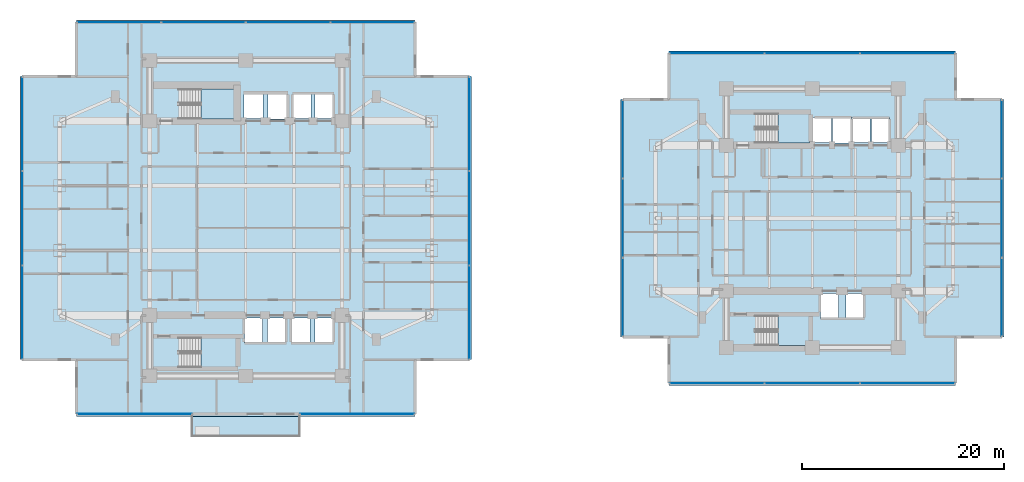
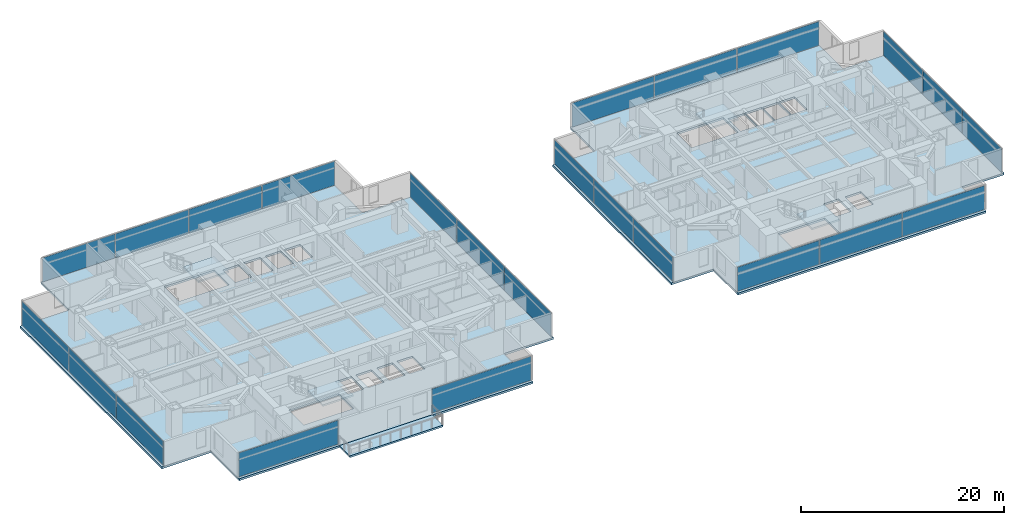
# One storey, part 12 of 25: 24 plates, 7 slabs, 13 elements without a shape of their own.
"""IFC4 building model written with IfcOpenShell, lengths in metres."""

from ifc_helpers import new_model, si_unit, direction, frame, origin, origin_2d, place, context, subcontext, project, spatial, polyline, rectangle, outline, extrude, material, layer, layer_set, type_object, element, aggregate, save


model = new_model("IFC4")

# Units and contexts
model_context = context("Model", 3, precision=1e-05, world=origin(), true_north=direction((0.0, 1.0)))
body_context = subcontext(model_context, "Body", "Model", "MODEL_VIEW")
ifc_project = project(units=[si_unit("LENGTHUNIT", "METRE"), si_unit("AREAUNIT", "SQUARE_METRE"), si_unit("VOLUMEUNIT", "CUBIC_METRE"), si_unit("PLANEANGLEUNIT", "RADIAN"), si_unit("MASSUNIT", "GRAM", prefix="KILO")], contexts=[model_context])

# Site, building, storey
site_placement = place(None, origin())
site = spatial("IfcSite", under=ifc_project, at=site_placement, CompositionType="ELEMENT")
building_placement = place(site_placement, origin())
building = spatial("IfcBuilding", under=site, at=building_placement, Name="Mirazonda Arch Towers", CompositionType="ELEMENT")
storey_placement = place(building_placement, frame((0.0, 0.0, 35.60009765625)))
storey = spatial("IfcBuildingStorey", under=building, at=storey_placement, Name="L09", CompositionType="ELEMENT", Elevation=35.60009765625)

# Curtain wall, plate
ifc_material_1 = material(Name="Anodised Aluminium and Low-E Glass", Category="aluminium")
curtain_wall_type = type_object("IfcCurtainWallType", Name="CW-HTL-UNIT", PredefinedType="NOTDEFINED", material=ifc_material_1)
curtain_wall_1_placement = place(storey_placement, origin())
curtain_wall_1 = element("IfcCurtainWall", 1, at=curtain_wall_1_placement, inside=storey, type_object=curtain_wall_type, Name="L09 Curtain Wall CW-L09-T1-SA", PredefinedType="NOTDEFINED")
ifc_material_2 = material(Name="Insulated Low-E Solar Glass", Category="glass")
ifc_layer_1 = layer(ifc_material_2, 0.035888671875, Name="PAN-CW-HTL-UNIT")
ifc_layer_set_1 = layer_set([ifc_layer_1], Name="Insulated Low-E Solar Glass")
plate_type = type_object("IfcPlateType", Name="PAN-CW-HTL-UNIT", PredefinedType="CURTAIN_PANEL", material=ifc_layer_set_1)
plate_1_placement = place(storey_placement, frame((31.5048828125, 8.6279296875, 0.0751953125), z_axis=(0.0, 0.0, 1.0), x_axis=(-1.0, 0.0, 0.0)))
plate_1 = element("IfcPlate", 2, at=plate_1_placement, type_object=plate_type, Name="CW-112 panel 1.1", PredefinedType="CURTAIN_PANEL", context=body_context, shape_type="SweptSolid", body=[
    extrude(rectangle(XDim=11.280029296875, YDim=0.035888671875, at=origin_2d()), origin(), (0.0, 0.0, 1.0), 2.889892578125),
])
aggregate(curtain_wall_1, [plate_1])

curtain_wall_2_placement = place(storey_placement, origin())
curtain_wall_2 = element("IfcCurtainWall", 3, at=curtain_wall_2_placement, inside=storey, type_object=curtain_wall_type, Name="L09 Curtain Wall CW-L09-T1-SB", PredefinedType="NOTDEFINED")
plate_2_placement = place(storey_placement, frame((9.4951171875, 8.6279296875, 0.0751953125), z_axis=(0.0, 0.0, 1.0), x_axis=(-1.0, 0.0, 0.0)))
plate_2 = element("IfcPlate", 4, at=plate_2_placement, type_object=plate_type, Name="CW-112 panel 1.1", PredefinedType="CURTAIN_PANEL", context=body_context, shape_type="SweptSolid", body=[
    extrude(rectangle(XDim=11.280029296875, YDim=0.035888671875, at=origin_2d()), origin(), (0.0, 0.0, 1.0), 2.889892578125),
])
aggregate(curtain_wall_2, [plate_2])

# Curtain wall, plates
curtain_wall_3_placement = place(storey_placement, origin())
curtain_wall_3 = element("IfcCurtainWall", 5, at=curtain_wall_3_placement, inside=storey, type_object=curtain_wall_type, Name="L09 T1 E Facade CW-L09-T1-E", PredefinedType="NOTDEFINED")
plate_3_placement = place(storey_placement, frame((42.60009765625, 18.690673828125, 0.0751953125), z_axis=(0.0, 0.0, 1.0), x_axis=(0.0, 1.0, 0.0)))
plate_3 = element("IfcPlate", 6, at=plate_3_placement, type_object=plate_type, Name="CW-112 panel 1.1", PredefinedType="CURTAIN_PANEL", context=body_context, shape_type="SweptSolid", body=[
    extrude(rectangle(XDim=9.215576171875, YDim=0.035888671875, at=origin_2d()), origin(), (0.0, 0.0, 1.0), 2.889892578125),
])
plate_4_placement = place(storey_placement, frame((42.60009765625, 28.0, 0.0751953125), z_axis=(0.0, 0.0, 1.0), x_axis=(0.0, 1.0, 0.0)))
plate_4 = element("IfcPlate", 7, at=plate_4_placement, type_object=plate_type, Name="CW-112 panel 2.1", PredefinedType="CURTAIN_PANEL", context=body_context, shape_type="SweptSolid", body=[
    extrude(rectangle(XDim=9.2529296875, YDim=0.035888671875, at=origin_2d()), origin(), (0.0, 0.0, 1.0), 2.889892578125),
])
plate_5_placement = place(storey_placement, frame((42.60009765625, 37.309326171875, 0.0751953125), z_axis=(0.0, 0.0, 1.0), x_axis=(0.0, 1.0, 0.0)))
plate_5 = element("IfcPlate", 8, at=plate_5_placement, type_object=plate_type, Name="CW-112 panel 3.1", PredefinedType="CURTAIN_PANEL", context=body_context, shape_type="SweptSolid", body=[
    extrude(rectangle(XDim=9.215576171875, YDim=0.035888671875, at=origin_2d()), origin(), (0.0, 0.0, 1.0), 2.889892578125),
])
aggregate(curtain_wall_3, [plate_3, plate_4, plate_5])

curtain_wall_4_placement = place(storey_placement, origin())
curtain_wall_4 = element("IfcCurtainWall", 9, at=curtain_wall_4_placement, inside=storey, type_object=curtain_wall_type, Name="L09 T1 N Facade CW-L09-T1-N", PredefinedType="NOTDEFINED")
plate_6_placement = place(storey_placement, frame((7.978759765625, 47.3720703125, 0.0751953125), z_axis=(0.0, 0.0, 1.0), x_axis=(1.0, 0.0, 0.0)))
plate_6 = element("IfcPlate", 10, at=plate_6_placement, type_object=plate_type, Name="CW-112 panel 1.1", PredefinedType="CURTAIN_PANEL", context=body_context, shape_type="SweptSolid", body=[
    extrude(rectangle(XDim=8.24755859375, YDim=0.035888671875, at=origin_2d()), origin(), (0.0, 0.0, 1.0), 2.889892578125),
])
plate_7_placement = place(storey_placement, frame((16.320068359375, 47.3720703125, 0.0751953125), z_axis=(0.0, 0.0, 1.0), x_axis=(1.0, 0.0, 0.0)))
plate_7 = element("IfcPlate", 11, at=plate_7_placement, type_object=plate_type, Name="CW-112 panel 2.1", PredefinedType="CURTAIN_PANEL", context=body_context, shape_type="SweptSolid", body=[
    extrude(rectangle(XDim=8.284912109375, YDim=0.035888671875, at=origin_2d()), origin(), (0.0, 0.0, 1.0), 2.889892578125),
])
plate_8_placement = place(storey_placement, frame((24.679931640625, 47.3720703125, 0.0751953125), z_axis=(0.0, 0.0, 1.0), x_axis=(1.0, 0.0, 0.0)))
plate_8 = element("IfcPlate", 12, at=plate_8_placement, type_object=plate_type, Name="CW-112 panel 3.1", PredefinedType="CURTAIN_PANEL", context=body_context, shape_type="SweptSolid", body=[
    extrude(rectangle(XDim=8.284912109375, YDim=0.035888671875, at=origin_2d()), origin(), (0.0, 0.0, 1.0), 2.889892578125),
])
plate_9_placement = place(storey_placement, frame((33.021240234375, 47.3720703125, 0.0751953125), z_axis=(0.0, 0.0, 1.0), x_axis=(1.0, 0.0, 0.0)))
plate_9 = element("IfcPlate", 13, at=plate_9_placement, type_object=plate_type, Name="CW-112 panel 4.1", PredefinedType="CURTAIN_PANEL", context=body_context, shape_type="SweptSolid", body=[
    extrude(rectangle(XDim=8.24755859375, YDim=0.035888671875, at=origin_2d()), origin(), (0.0, 0.0, 1.0), 2.889892578125),
])
aggregate(curtain_wall_4, [plate_6, plate_7, plate_8, plate_9])

curtain_wall_5_placement = place(storey_placement, origin())
curtain_wall_5 = element("IfcCurtainWall", 14, at=curtain_wall_5_placement, inside=storey, type_object=curtain_wall_type, Name="L09 T1 W Facade CW-L09-T1-W", PredefinedType="NOTDEFINED")
plate_10_placement = place(storey_placement, frame((-1.60009765625, 37.309326171875, 0.0751953125), z_axis=(0.0, 0.0, 1.0), x_axis=(0.0, -1.0, 0.0)))
plate_10 = element("IfcPlate", 15, at=plate_10_placement, type_object=plate_type, Name="CW-112 panel 1.1", PredefinedType="CURTAIN_PANEL", context=body_context, shape_type="SweptSolid", body=[
    extrude(rectangle(XDim=9.215576171875, YDim=0.035888671875, at=origin_2d()), origin(), (0.0, 0.0, 1.0), 2.889892578125),
])
plate_11_placement = place(storey_placement, frame((-1.60009765625, 28.0, 0.0751953125), z_axis=(0.0, 0.0, 1.0), x_axis=(0.0, -1.0, 0.0)))
plate_11 = element("IfcPlate", 16, at=plate_11_placement, type_object=plate_type, Name="CW-112 panel 2.1", PredefinedType="CURTAIN_PANEL", context=body_context, shape_type="SweptSolid", body=[
    extrude(rectangle(XDim=9.2529296875, YDim=0.035888671875, at=origin_2d()), origin(), (0.0, 0.0, 1.0), 2.889892578125),
])
plate_12_placement = place(storey_placement, frame((-1.60009765625, 18.690673828125, 0.0751953125), z_axis=(0.0, 0.0, 1.0), x_axis=(0.0, -1.0, 0.0)))
plate_12 = element("IfcPlate", 17, at=plate_12_placement, type_object=plate_type, Name="CW-112 panel 3.1", PredefinedType="CURTAIN_PANEL", context=body_context, shape_type="SweptSolid", body=[
    extrude(rectangle(XDim=9.215576171875, YDim=0.035888671875, at=origin_2d()), origin(), (0.0, 0.0, 1.0), 2.889892578125),
])
aggregate(curtain_wall_5, [plate_10, plate_11, plate_12])

curtain_wall_6_placement = place(storey_placement, origin())
curtain_wall_6 = element("IfcCurtainWall", 18, at=curtain_wall_6_placement, inside=storey, type_object=curtain_wall_type, Name="L09 T2 S Facade CW-L09-T2-S", PredefinedType="NOTDEFINED")
plate_13_placement = place(storey_placement, frame((85.916015625, 11.686767578125, 0.0751953125), z_axis=(0.0, 0.0, 1.0), x_axis=(-1.0, 0.0, 0.0)))
plate_13 = element("IfcPlate", 19, at=plate_13_placement, type_object=plate_type, Name="CW-112 panel 1.1", PredefinedType="CURTAIN_PANEL", context=body_context, shape_type="SweptSolid", body=[
    extrude(rectangle(XDim=9.322265625, YDim=0.035888671875, at=origin_2d()), origin(), (0.0, 0.0, 1.0), 2.889892578125),
])
plate_14_placement = place(storey_placement, frame((76.5, 11.686767578125, 0.0751953125), z_axis=(0.0, 0.0, 1.0), x_axis=(-1.0, 0.0, 0.0)))
plate_14 = element("IfcPlate", 20, at=plate_14_placement, type_object=plate_type, Name="CW-112 panel 2.1", PredefinedType="CURTAIN_PANEL", context=body_context, shape_type="SweptSolid", body=[
    extrude(rectangle(XDim=9.359619140625, YDim=0.035888671875, at=origin_2d()), origin(), (0.0, 0.0, 1.0), 2.889892578125),
])
plate_15_placement = place(storey_placement, frame((67.083984375, 11.686767578125, 0.0751953125), z_axis=(0.0, 0.0, 1.0), x_axis=(-1.0, 0.0, 0.0)))
plate_15 = element("IfcPlate", 21, at=plate_15_placement, type_object=plate_type, Name="CW-112 panel 3.1", PredefinedType="CURTAIN_PANEL", context=body_context, shape_type="SweptSolid", body=[
    extrude(rectangle(XDim=9.322265625, YDim=0.035888671875, at=origin_2d()), origin(), (0.0, 0.0, 1.0), 2.889892578125),
])
aggregate(curtain_wall_6, [plate_13, plate_14, plate_15])

curtain_wall_7_placement = place(storey_placement, origin())
curtain_wall_7 = element("IfcCurtainWall", 22, at=curtain_wall_7_placement, inside=storey, type_object=curtain_wall_type, Name="L09 T2 E Facade CW-L09-T2-E", PredefinedType="NOTDEFINED")
plate_16_placement = place(storey_placement, frame((95.23193359375, 20.196533203125, 0.0751953125), z_axis=(0.0, 0.0, 1.0), x_axis=(0.0, 1.0, 0.0)))
plate_16 = element("IfcPlate", 23, at=plate_16_placement, type_object=plate_type, Name="CW-112 panel 1.1", PredefinedType="CURTAIN_PANEL", context=body_context, shape_type="SweptSolid", body=[
    extrude(rectangle(XDim=7.709716796875, YDim=0.035888671875, at=origin_2d()), origin(), (0.0, 0.0, 1.0), 2.889892578125),
])
plate_17_placement = place(storey_placement, frame((95.23193359375, 28.0, 0.0751953125), z_axis=(0.0, 0.0, 1.0), x_axis=(0.0, 1.0, 0.0)))
plate_17 = element("IfcPlate", 24, at=plate_17_placement, type_object=plate_type, Name="CW-112 panel 2.1", PredefinedType="CURTAIN_PANEL", context=body_context, shape_type="SweptSolid", body=[
    extrude(rectangle(XDim=7.7470703125, YDim=0.035888671875, at=origin_2d()), origin(), (0.0, 0.0, 1.0), 2.889892578125),
])
plate_18_placement = place(storey_placement, frame((95.23193359375, 35.803466796875, 0.0751953125), z_axis=(0.0, 0.0, 1.0), x_axis=(0.0, 1.0, 0.0)))
plate_18 = element("IfcPlate", 25, at=plate_18_placement, type_object=plate_type, Name="CW-112 panel 3.1", PredefinedType="CURTAIN_PANEL", context=body_context, shape_type="SweptSolid", body=[
    extrude(rectangle(XDim=7.709716796875, YDim=0.035888671875, at=origin_2d()), origin(), (0.0, 0.0, 1.0), 2.889892578125),
])
aggregate(curtain_wall_7, [plate_16, plate_17, plate_18])

curtain_wall_8_placement = place(storey_placement, origin())
curtain_wall_8 = element("IfcCurtainWall", 26, at=curtain_wall_8_placement, inside=storey, type_object=curtain_wall_type, Name="L09 T2 N Facade CW-L09-T2-N", PredefinedType="NOTDEFINED")
plate_19_placement = place(storey_placement, frame((67.083984375, 44.313232421875, 0.0751953125), z_axis=(0.0, 0.0, 1.0), x_axis=(1.0, 0.0, 0.0)))
plate_19 = element("IfcPlate", 27, at=plate_19_placement, type_object=plate_type, Name="CW-112 panel 1.1", PredefinedType="CURTAIN_PANEL", context=body_context, shape_type="SweptSolid", body=[
    extrude(rectangle(XDim=9.322265625, YDim=0.035888671875, at=origin_2d()), origin(), (0.0, 0.0, 1.0), 2.889892578125),
])
plate_20_placement = place(storey_placement, frame((76.5, 44.313232421875, 0.0751953125), z_axis=(0.0, 0.0, 1.0), x_axis=(1.0, 0.0, 0.0)))
plate_20 = element("IfcPlate", 28, at=plate_20_placement, type_object=plate_type, Name="CW-112 panel 2.1", PredefinedType="CURTAIN_PANEL", context=body_context, shape_type="SweptSolid", body=[
    extrude(rectangle(XDim=9.359619140625, YDim=0.035888671875, at=origin_2d()), origin(), (0.0, 0.0, 1.0), 2.889892578125),
])
plate_21_placement = place(storey_placement, frame((85.916015625, 44.313232421875, 0.0751953125), z_axis=(0.0, 0.0, 1.0), x_axis=(1.0, 0.0, 0.0)))
plate_21 = element("IfcPlate", 29, at=plate_21_placement, type_object=plate_type, Name="CW-112 panel 3.1", PredefinedType="CURTAIN_PANEL", context=body_context, shape_type="SweptSolid", body=[
    extrude(rectangle(XDim=9.322265625, YDim=0.035888671875, at=origin_2d()), origin(), (0.0, 0.0, 1.0), 2.889892578125),
])
aggregate(curtain_wall_8, [plate_19, plate_20, plate_21])

curtain_wall_9_placement = place(storey_placement, origin())
curtain_wall_9 = element("IfcCurtainWall", 30, at=curtain_wall_9_placement, inside=storey, type_object=curtain_wall_type, Name="L09 T2 W Facade CW-L09-T2-W", PredefinedType="NOTDEFINED")
plate_22_placement = place(storey_placement, frame((57.76806640625, 35.803466796875, 0.0751953125), z_axis=(0.0, 0.0, 1.0), x_axis=(0.0, -1.0, 0.0)))
plate_22 = element("IfcPlate", 31, at=plate_22_placement, type_object=plate_type, Name="CW-112 panel 1.1", PredefinedType="CURTAIN_PANEL", context=body_context, shape_type="SweptSolid", body=[
    extrude(rectangle(XDim=7.709716796875, YDim=0.035888671875, at=origin_2d()), origin(), (0.0, 0.0, 1.0), 2.889892578125),
])
plate_23_placement = place(storey_placement, frame((57.76806640625, 28.0, 0.0751953125), z_axis=(0.0, 0.0, 1.0), x_axis=(0.0, -1.0, 0.0)))
plate_23 = element("IfcPlate", 32, at=plate_23_placement, type_object=plate_type, Name="CW-112 panel 2.1", PredefinedType="CURTAIN_PANEL", context=body_context, shape_type="SweptSolid", body=[
    extrude(rectangle(XDim=7.7470703125, YDim=0.035888671875, at=origin_2d()), origin(), (0.0, 0.0, 1.0), 2.889892578125),
])
plate_24_placement = place(storey_placement, frame((57.76806640625, 20.196533203125, 0.0751953125), z_axis=(0.0, 0.0, 1.0), x_axis=(0.0, -1.0, 0.0)))
plate_24 = element("IfcPlate", 33, at=plate_24_placement, type_object=plate_type, Name="CW-112 panel 3.1", PredefinedType="CURTAIN_PANEL", context=body_context, shape_type="SweptSolid", body=[
    extrude(rectangle(XDim=7.709716796875, YDim=0.035888671875, at=origin_2d()), origin(), (0.0, 0.0, 1.0), 2.889892578125),
])
aggregate(curtain_wall_9, [plate_22, plate_23, plate_24])

# Stair, slab
ifc_material_3 = material(Name="Concrete C40/50", Category="concrete")
stair_type = type_object("IfcStairType", Name="STAIR-CORE-1400", PredefinedType="HALF_TURN_STAIR", material=ifc_material_3)
stair_1_placement = place(storey_placement, origin())
stair_1 = element("IfcStair", 34, at=stair_1_placement, inside=storey, type_object=stair_type, Name="L09 Protected Exit Stair ST-T1N", PredefinedType="HALF_TURN_STAIR")
ifc_layer_2 = layer(ifc_material_3, 0.18994140625, Name="SLAB-LANDING-190")
ifc_layer_set_2 = layer_set([ifc_layer_2], Name="Concrete C40/50")
slab_type_1 = type_object("IfcSlabType", Name="SLAB-LANDING-190", PredefinedType="LANDING", material=ifc_layer_set_2)
slab_1_placement = place(storey_placement, frame((0.0, 0.0, 1.449951171875)))
slab_1 = element("IfcSlab", 35, at=slab_1_placement, type_object=slab_type_1, Name="ST-T1N landing 1", PredefinedType="LANDING", context=body_context, shape_type="SweptSolid", body=[
    extrude(outline(polyline([(16.090087890625, 37.820068359375), (19.60009765625, 37.820068359375), (19.60009765625, 40.760009765625), (16.090087890625, 40.760009765625), (16.090087890625, 37.820068359375)])), origin(), (0.0, 0.0, 1.0), 0.199951171875),
])
aggregate(stair_1, [slab_1])

stair_2_placement = place(storey_placement, origin())
stair_2 = element("IfcStair", 36, at=stair_2_placement, inside=storey, type_object=stair_type, Name="L09 Protected Exit Stair ST-T1S", PredefinedType="HALF_TURN_STAIR")
slab_2_placement = place(storey_placement, frame((0.0, 0.0, 1.449951171875)))
slab_2 = element("IfcSlab", 37, at=slab_2_placement, type_object=slab_type_1, Name="ST-T1S landing 1", PredefinedType="LANDING", context=body_context, shape_type="SweptSolid", body=[
    extrude(outline(polyline([(16.090087890625, 13.25), (19.60009765625, 13.25), (19.60009765625, 16.18994140625), (16.090087890625, 16.18994140625), (16.090087890625, 13.25)])), origin(), (0.0, 0.0, 1.0), 0.199951171875),
])
aggregate(stair_2, [slab_2])

stair_3_placement = place(storey_placement, origin())
stair_3 = element("IfcStair", 38, at=stair_3_placement, inside=storey, type_object=stair_type, Name="L09 Protected Exit Stair ST-T2N", PredefinedType="HALF_TURN_STAIR")
slab_3_placement = place(storey_placement, frame((0.0, 0.0, 1.449951171875)))
slab_3 = element("IfcSlab", 39, at=slab_3_placement, type_object=slab_type_1, Name="ST-T2N landing 1", PredefinedType="LANDING", context=body_context, shape_type="SweptSolid", body=[
    extrude(outline(polyline([(73.090087890625, 35.419921875), (76.22998046875, 35.419921875), (76.22998046875, 38.360107421875), (73.090087890625, 38.360107421875), (73.090087890625, 35.419921875)])), origin(), (0.0, 0.0, 1.0), 0.199951171875),
])
aggregate(stair_3, [slab_3])

stair_4_placement = place(storey_placement, origin())
stair_4 = element("IfcStair", 40, at=stair_4_placement, inside=storey, type_object=stair_type, Name="L09 Protected Exit Stair ST-T2S", PredefinedType="HALF_TURN_STAIR")
slab_4_placement = place(storey_placement, frame((0.0, 0.0, 1.449951171875)))
slab_4 = element("IfcSlab", 41, at=slab_4_placement, type_object=slab_type_1, Name="ST-T2S landing 1", PredefinedType="LANDING", context=body_context, shape_type="SweptSolid", body=[
    extrude(outline(polyline([(73.090087890625, 15.419921875), (76.22998046875, 15.419921875), (76.22998046875, 18.360107421875), (73.090087890625, 18.360107421875), (73.090087890625, 15.419921875)])), origin(), (0.0, 0.0, 1.0), 0.199951171875),
])
aggregate(stair_4, [slab_4])

# Slabs
ifc_layer_3 = layer(ifc_material_3, 0.2099609375, Name="SLAB-TERRACE-210")
ifc_layer_set_3 = layer_set([ifc_layer_3], Name="Concrete C40/50")
slab_type_2 = type_object("IfcSlabType", Name="SLAB-TERRACE-210", PredefinedType="FLOOR", material=ifc_layer_set_3)
slab_5_placement = place(storey_placement, frame((0.0, 0.0, -0.210205078125)))
element("IfcSlab", 42, at=slab_5_placement, inside=storey, type_object=slab_type_2, Name="L09 T1 Spiralling Sky-Terrace Balcony Slab", PredefinedType="FLOOR", context=body_context, shape_type="SweptSolid", body=[
    extrude(outline(polyline([(15.199951171875, 6.35791015625), (25.800048828125, 6.35791015625), (25.800048828125, 8.41796875), (15.199951171875, 8.41796875), (15.199951171875, 6.35791015625)])), origin(), (0.0, 0.0, 1.0), 0.210205078125),
])
ifc_layer_4 = layer(ifc_material_3, 0.239990234375, Name="SLAB-TWR-240")
ifc_layer_set_4 = layer_set([ifc_layer_4], Name="Concrete C40/50")
slab_type_3 = type_object("IfcSlabType", Name="SLAB-TWR-240", PredefinedType="FLOOR", material=ifc_layer_set_4)
slab_6_placement = place(storey_placement, frame((0.0, 0.0, -0.239990234375)))
element("IfcSlab", 43, at=slab_6_placement, inside=storey, type_object=slab_type_3, Name="L09 Tower 1 Floor Slab", PredefinedType="FLOOR", context=body_context, shape_type="SweptSolid", body=[
    extrude(outline(polyline([(3.780029296875, 8.407958984375), (37.219970703125, 8.407958984375), (37.219970703125, 14.008056640625), (42.820068359375, 14.008056640625), (42.820068359375, 41.991943359375), (37.219970703125, 41.991943359375), (37.219970703125, 47.592041015625), (3.780029296875, 47.592041015625), (3.780029296875, 41.991943359375), (-1.820068359375, 41.991943359375), (-1.820068359375, 14.008056640625), (3.780029296875, 14.008056640625), (3.780029296875, 8.407958984375)]), holes=[polyline([(29.139892578125, 18.139892578125), (29.139892578125, 15.659912109375), (27.360107421875, 15.659912109375), (27.360107421875, 18.139892578125), (29.139892578125, 18.139892578125)]), polyline([(29.139892578125, 40.340087890625), (29.139892578125, 37.860107421875), (27.360107421875, 37.860107421875), (27.360107421875, 40.340087890625), (29.139892578125, 40.340087890625)]), polyline([(25.159912109375, 40.340087890625), (26.93994140625, 40.340087890625), (26.93994140625, 37.860107421875), (25.159912109375, 37.860107421875), (25.159912109375, 40.340087890625)]), polyline([(26.840087890625, 18.139892578125), (26.840087890625, 15.659912109375), (25.06005859375, 15.659912109375), (25.06005859375, 18.139892578125), (26.840087890625, 18.139892578125)]), polyline([(22.7099609375, 40.389892578125), (24.590087890625, 40.389892578125), (24.590087890625, 37.81005859375), (22.7099609375, 37.81005859375), (22.7099609375, 40.389892578125)]), polyline([(22.659912109375, 18.139892578125), (24.43994140625, 18.139892578125), (24.43994140625, 15.659912109375), (22.659912109375, 15.659912109375), (22.659912109375, 18.139892578125)]), polyline([(20.31005859375, 40.340087890625), (22.18994140625, 40.340087890625), (22.18994140625, 37.860107421875), (20.31005859375, 37.860107421875), (20.31005859375, 40.340087890625)]), polyline([(20.360107421875, 18.139892578125), (22.139892578125, 18.139892578125), (22.139892578125, 15.659912109375), (20.360107421875, 15.659912109375), (20.360107421875, 18.139892578125)]), polyline([(13.925048828125, 40.760009765625), (19.60009765625, 40.760009765625), (19.60009765625, 37.820068359375), (13.925048828125, 37.820068359375), (13.925048828125, 40.760009765625)]), polyline([(13.925048828125, 13.25), (13.925048828125, 16.18994140625), (19.60009765625, 16.18994140625), (19.60009765625, 13.25), (13.925048828125, 13.25)])]), origin(), (0.0, 0.0, 1.0), 0.239990234375),
])
slab_7_placement = place(storey_placement, frame((0.0, 0.0, -0.239990234375)))
element("IfcSlab", 44, at=slab_7_placement, inside=storey, type_object=slab_type_3, Name="L09 Tower 2 Floor Slab", PredefinedType="FLOOR", context=body_context, shape_type="SweptSolid", body=[
    extrude(outline(polyline([(62.347900390625, 11.466796875), (90.652099609375, 11.466796875), (90.652099609375, 16.266845703125), (95.451904296875, 16.266845703125), (95.451904296875, 39.733154296875), (90.652099609375, 39.733154296875), (90.652099609375, 44.533203125), (62.347900390625, 44.533203125), (62.347900390625, 39.733154296875), (57.548095703125, 39.733154296875), (57.548095703125, 16.266845703125), (62.347900390625, 16.266845703125), (62.347900390625, 11.466796875)]), holes=[polyline([(82.330078125, 37.93994140625), (84.110107421875, 37.93994140625), (84.110107421875, 35.4599609375), (82.330078125, 35.4599609375), (82.330078125, 37.93994140625)]), polyline([(80.449951171875, 37.93994140625), (82.22998046875, 37.93994140625), (82.22998046875, 35.4599609375), (80.449951171875, 35.4599609375), (80.449951171875, 37.93994140625)]), polyline([(79.81005859375, 20.5400390625), (81.590087890625, 20.5400390625), (81.590087890625, 18.06005859375), (79.81005859375, 18.06005859375), (79.81005859375, 20.5400390625)]), polyline([(78.47998046875, 37.989990234375), (80.360107421875, 37.989990234375), (80.360107421875, 35.409912109375), (78.47998046875, 35.409912109375), (78.47998046875, 37.989990234375)]), polyline([(77.31005859375, 20.5400390625), (79.090087890625, 20.5400390625), (79.090087890625, 18.06005859375), (77.31005859375, 18.06005859375), (77.31005859375, 20.5400390625)]), polyline([(76.510009765625, 37.93994140625), (78.389892578125, 37.93994140625), (78.389892578125, 35.4599609375), (76.510009765625, 35.4599609375), (76.510009765625, 37.93994140625)]), polyline([(70.925048828125, 15.419921875), (70.925048828125, 18.360107421875), (76.22998046875, 18.360107421875), (76.22998046875, 15.419921875), (70.925048828125, 15.419921875)]), polyline([(70.925048828125, 35.419921875), (70.925048828125, 38.360107421875), (76.22998046875, 38.360107421875), (76.22998046875, 35.419921875), (70.925048828125, 35.419921875)])]), origin(), (0.0, 0.0, 1.0), 0.239990234375),
])

save(model, "model.ifc")
